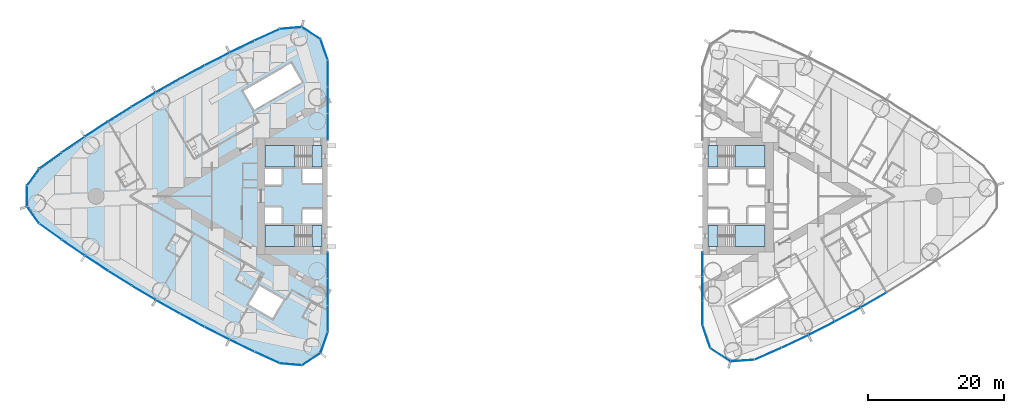
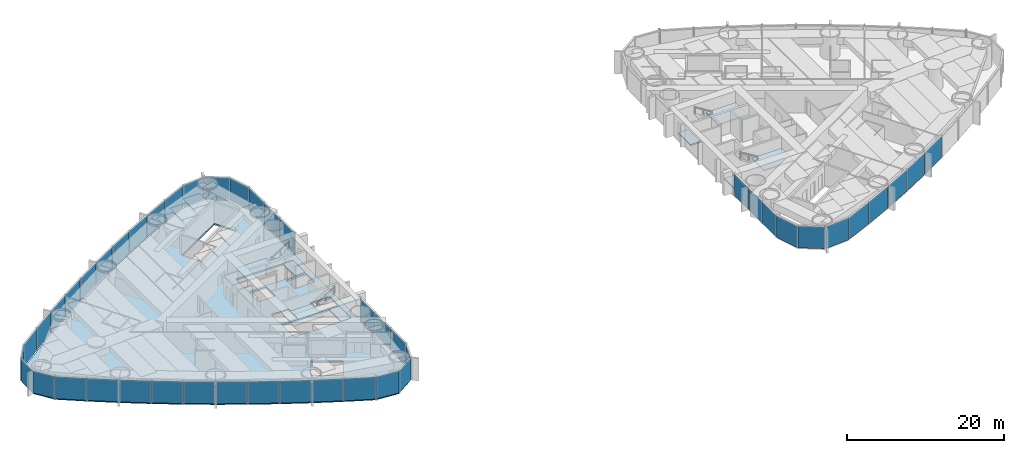
# One storey, part 9 of 18: 46 plates, 9 slabs, 6 elements without a shape of their own.
"""IFC4 building model written with IfcOpenShell, lengths in metres."""

from ifc_helpers import new_model, si_unit, direction, frame, origin, origin_2d, place, context, subcontext, project, spatial, polyline, rectangle, outline, extrude, material, layer, layer_set, type_object, element, aggregate, save


model = new_model("IFC4")

# Units and contexts
model_context = context("Model", 3, precision=1e-05, world=origin(), true_north=direction((0.0, 1.0)))
body_context = subcontext(model_context, "Body", "Model", "MODEL_VIEW")
ifc_project = project(units=[si_unit("LENGTHUNIT", "METRE"), si_unit("AREAUNIT", "SQUARE_METRE"), si_unit("VOLUMEUNIT", "CUBIC_METRE"), si_unit("PLANEANGLEUNIT", "RADIAN"), si_unit("MASSUNIT", "GRAM", prefix="KILO")], contexts=[model_context])

# Site, building, storey
site_placement = place(None, origin())
site = spatial("IfcSite", under=ifc_project, at=site_placement, CompositionType="ELEMENT")
building_placement = place(site_placement, origin())
building = spatial("IfcBuilding", under=site, at=building_placement, Name="Lancet Gate Hotel", CompositionType="ELEMENT")
storey_placement = place(building_placement, frame((0.0, 0.0, 125.60009765625)))
storey = spatial("IfcBuildingStorey", under=building, at=storey_placement, Name="L33", CompositionType="ELEMENT", Elevation=125.60009765625)

# Slab
ifc_material_1 = material(Name="Concrete C50/60", Category="concrete")
ifc_layer_1 = layer(ifc_material_1, 0.25)
ifc_layer_set_1 = layer_set([ifc_layer_1], Name="Floor slab 250")
slab_type_1 = type_object("IfcSlabType", Name="Floor slab 250", PredefinedType="FLOOR", material=ifc_layer_set_1)
slab_1_placement = place(storey_placement, frame((0.0, 0.0, -0.25)))
element("IfcSlab", 1, at=slab_1_placement, inside=storey, type_object=slab_type_1, Name="T1 L33 floor slab", PredefinedType="FLOOR", context=body_context, shape_type="SweptSolid", body=[
    extrude(outline(polyline([(-27.5, 8.60009765625), (-27.6201171875, 8.60009765625), (-27.6201171875, 19.950927734375), (-28.65966796875, 22.970947265625), (-31.320068359375, 24.69921875), (-34.5009765625, 24.421630859375), (-38.201416015625, 22.727783203125), (-41.8818359375, 20.946044921875), (-45.523193359375, 19.085693359375), (-49.12353515625, 17.147216796875), (-52.681396484375, 15.131591796875), (-56.195068359375, 13.0400390625), (-59.662841796875, 10.873291015625), (-63.0830078125, 8.63232421875), (-66.454345703125, 6.318115234375), (-69.76025390625, 3.94287109375), (-71.523193359375, 1.49755859375), (-71.523193359375, -1.49755859375), (-69.76025390625, -3.94287109375), (-66.454345703125, -6.318115234375), (-63.0830078125, -8.63232421875), (-59.662841796875, -10.873291015625), (-56.195068359375, -13.0400390625), (-52.681396484375, -15.131591796875), (-49.12353515625, -17.147216796875), (-45.523193359375, -19.085693359375), (-41.8818359375, -20.946044921875), (-38.201416015625, -22.727783203125), (-34.5009765625, -24.421630859375), (-31.320068359375, -24.69921875), (-28.65966796875, -22.970947265625), (-27.6201171875, -19.950927734375), (-27.6201171875, -8.60009765625), (-27.5, -8.60009765625), (-27.5, -8.199951171875), (-27.5, 8.199951171875), (-27.5, 8.60009765625)]), holes=[polyline([(-36.699951171875, 7.39990234375), (-36.699951171875, 4.300048828125), (-28.300048828125, 4.300048828125), (-28.300048828125, 7.39990234375), (-36.699951171875, 7.39990234375)]), polyline([(-28.300048828125, 4.0), (-31.199951171875, 4.0), (-31.199951171875, 1.89990234375), (-28.300048828125, 1.89990234375), (-28.300048828125, 4.0)]), polyline([(-34.25, 4.0), (-36.699951171875, 4.0), (-36.699951171875, 1.64990234375), (-34.25, 1.64990234375), (-34.25, 4.0)]), polyline([(-36.699951171875, -1.64990234375), (-36.699951171875, -4.0), (-34.25, -4.0), (-34.25, -1.64990234375), (-36.699951171875, -1.64990234375)]), polyline([(-28.300048828125, -1.89990234375), (-31.199951171875, -1.89990234375), (-31.199951171875, -4.0), (-28.300048828125, -4.0), (-28.300048828125, -1.89990234375)]), polyline([(-28.300048828125, -4.300048828125), (-36.699951171875, -4.300048828125), (-36.699951171875, -7.39990234375), (-28.300048828125, -7.39990234375), (-28.300048828125, -4.300048828125)]), polyline([(-31.2900390625, 16.73095703125), (-32.889892578125, 19.501953125), (-39.904052734375, 15.451904296875), (-38.303955078125, 12.680908203125), (-31.2900390625, 16.73095703125)]), polyline([(-33.97412109375, -15.180908203125), (-37.52490234375, -13.131103515625), (-39.125, -15.902099609375), (-35.573974609375, -17.951904296875), (-33.97412109375, -15.180908203125)])]), origin(), (0.0, 0.0, 1.0), 0.25),
])

# Stair, slabs
ifc_material_2 = material(Name="Exit stair 20 risers 1500")
stair_type = type_object("IfcStairType", Name="Exit stair 20 risers 1500", PredefinedType="HALF_TURN_STAIR", material=ifc_material_2)
stair_1_placement = place(storey_placement, origin())
stair_1 = element("IfcStair", 2, at=stair_1_placement, inside=storey, type_object=stair_type, Name="T1 stair 1 L33", PredefinedType="HALF_TURN_STAIR")
ifc_material_3 = material(Name="Concrete C40/50", Category="concrete")
ifc_layer_2 = layer(ifc_material_3, 0.199951171875)
ifc_layer_set_2 = layer_set([ifc_layer_2], Name="Stair landing 200")
slab_type_2 = type_object("IfcSlabType", Name="Stair landing 200", PredefinedType="LANDING", material=ifc_layer_set_2)
slab_2_placement = place(storey_placement, frame((0.0, 0.0, -0.2001953125)))
slab_2 = element("IfcSlab", 3, at=slab_2_placement, type_object=slab_type_2, Name="ST1 landing 1", PredefinedType="LANDING", context=body_context, shape_type="SweptSolid", body=[
    extrude(outline(polyline([(-28.300048828125, 7.39990234375), (-29.800048828125, 7.39990234375), (-29.800048828125, 4.300048828125), (-28.300048828125, 4.300048828125), (-28.300048828125, 7.39990234375)])), origin(), (0.0, 0.0, 1.0), 0.2001953125),
])
slab_3_placement = place(storey_placement, frame((0.0, 0.0, 1.5498046875)))
slab_3 = element("IfcSlab", 4, at=slab_3_placement, type_object=slab_type_2, Name="ST1 landing 2", PredefinedType="LANDING", context=body_context, shape_type="SweptSolid", body=[
    extrude(outline(polyline([(-32.320068359375, 7.39990234375), (-36.699951171875, 7.39990234375), (-36.699951171875, 4.300048828125), (-32.320068359375, 4.300048828125), (-32.320068359375, 7.39990234375)])), origin(), (0.0, 0.0, 1.0), 0.2001953125),
])
aggregate(stair_1, [slab_2, slab_3])

stair_2_placement = place(storey_placement, origin())
stair_2 = element("IfcStair", 5, at=stair_2_placement, inside=storey, type_object=stair_type, Name="T1 stair 2 L33", PredefinedType="HALF_TURN_STAIR")
slab_4_placement = place(storey_placement, frame((0.0, 0.0, -0.2001953125)))
slab_4 = element("IfcSlab", 6, at=slab_4_placement, type_object=slab_type_2, Name="ST2 landing 1", PredefinedType="LANDING", context=body_context, shape_type="SweptSolid", body=[
    extrude(outline(polyline([(-28.300048828125, -4.300048828125), (-29.800048828125, -4.300048828125), (-29.800048828125, -7.39990234375), (-28.300048828125, -7.39990234375), (-28.300048828125, -4.300048828125)])), origin(), (0.0, 0.0, 1.0), 0.2001953125),
])
slab_5_placement = place(storey_placement, frame((0.0, 0.0, 1.5498046875)))
slab_5 = element("IfcSlab", 7, at=slab_5_placement, type_object=slab_type_2, Name="ST2 landing 2", PredefinedType="LANDING", context=body_context, shape_type="SweptSolid", body=[
    extrude(outline(polyline([(-32.320068359375, -4.300048828125), (-36.699951171875, -4.300048828125), (-36.699951171875, -7.39990234375), (-32.320068359375, -7.39990234375), (-32.320068359375, -4.300048828125)])), origin(), (0.0, 0.0, 1.0), 0.2001953125),
])
aggregate(stair_2, [slab_4, slab_5])

stair_3_placement = place(storey_placement, origin())
stair_3 = element("IfcStair", 8, at=stair_3_placement, inside=storey, type_object=stair_type, Name="T2 stair 1 L33", PredefinedType="HALF_TURN_STAIR")
slab_6_placement = place(storey_placement, frame((0.0, 0.0, -0.2001953125)))
slab_6 = element("IfcSlab", 9, at=slab_6_placement, type_object=slab_type_2, Name="ST3 landing 1", PredefinedType="LANDING", context=body_context, shape_type="SweptSolid", body=[
    extrude(outline(polyline([(28.300048828125, -7.39990234375), (29.800048828125, -7.39990234375), (29.800048828125, -4.300048828125), (28.300048828125, -4.300048828125), (28.300048828125, -7.39990234375)])), origin(), (0.0, 0.0, 1.0), 0.2001953125),
])
slab_7_placement = place(storey_placement, frame((0.0, 0.0, 1.5498046875)))
slab_7 = element("IfcSlab", 10, at=slab_7_placement, type_object=slab_type_2, Name="ST3 landing 2", PredefinedType="LANDING", context=body_context, shape_type="SweptSolid", body=[
    extrude(outline(polyline([(32.320068359375, -7.39990234375), (36.699951171875, -7.39990234375), (36.699951171875, -4.300048828125), (32.320068359375, -4.300048828125), (32.320068359375, -7.39990234375)])), origin(), (0.0, 0.0, 1.0), 0.2001953125),
])
aggregate(stair_3, [slab_6, slab_7])

stair_4_placement = place(storey_placement, origin())
stair_4 = element("IfcStair", 11, at=stair_4_placement, inside=storey, type_object=stair_type, Name="T2 stair 2 L33", PredefinedType="HALF_TURN_STAIR")
slab_8_placement = place(storey_placement, frame((0.0, 0.0, -0.2001953125)))
slab_8 = element("IfcSlab", 12, at=slab_8_placement, type_object=slab_type_2, Name="ST4 landing 1", PredefinedType="LANDING", context=body_context, shape_type="SweptSolid", body=[
    extrude(outline(polyline([(28.300048828125, 4.300048828125), (29.800048828125, 4.300048828125), (29.800048828125, 7.39990234375), (28.300048828125, 7.39990234375), (28.300048828125, 4.300048828125)])), origin(), (0.0, 0.0, 1.0), 0.2001953125),
])
slab_9_placement = place(storey_placement, frame((0.0, 0.0, 1.5498046875)))
slab_9 = element("IfcSlab", 13, at=slab_9_placement, type_object=slab_type_2, Name="ST4 landing 2", PredefinedType="LANDING", context=body_context, shape_type="SweptSolid", body=[
    extrude(outline(polyline([(32.320068359375, 4.300048828125), (36.699951171875, 4.300048828125), (36.699951171875, 7.39990234375), (32.320068359375, 7.39990234375), (32.320068359375, 4.300048828125)])), origin(), (0.0, 0.0, 1.0), 0.2001953125),
])
aggregate(stair_4, [slab_8, slab_9])

# Curtain wall, plates
ifc_material_4 = material(Name="Aluminium curtain wall", Category="aluminium")
curtain_wall_type = type_object("IfcCurtainWallType", Name="Tower unitised curtain wall", PredefinedType="USERDEFINED", material=ifc_material_4)
curtain_wall_1_placement = place(storey_placement, origin())
curtain_wall_1 = element("IfcCurtainWall", 14, at=curtain_wall_1_placement, inside=storey, type_object=curtain_wall_type, Name="T1 L33 curtain wall 1", ObjectType="UNITISED CURTAIN WALL", PredefinedType="USERDEFINED")
ifc_material_5 = material(Name="Glass double glazed unit 8-16-6", Category="glass")
ifc_layer_3 = layer(ifc_material_5, 0.030029296875)
ifc_layer_set_3 = layer_set([ifc_layer_3], Name="Vision panel double glazed")
plate_type = type_object("IfcPlateType", Name="Vision panel double glazed", PredefinedType="CURTAIN_PANEL", material=ifc_layer_set_3)
plate_1_placement = place(storey_placement, frame((-27.5, 10.161865234375, -0.000244140625), z_axis=(0.0, 0.0, 1.0), x_axis=(0.0, 1.0, 0.0)))
plate_1 = element("IfcPlate", 15, at=plate_1_placement, type_object=plate_type, Name="T1 L33 curtain wall 1 panel 1", PredefinedType="CURTAIN_PANEL", context=body_context, shape_type="SweptSolid", body=[
    extrude(rectangle(XDim=3.858642578125, YDim=0.030029296875, at=origin_2d()), origin(), (0.0, 0.0, 1.0), 3.35009765625),
])
plate_2_placement = place(storey_placement, frame((-27.5, 14.08544921875, -0.000244140625), z_axis=(0.0, 0.0, 1.0), x_axis=(0.0, 1.0, 0.0)))
plate_2 = element("IfcPlate", 16, at=plate_2_placement, type_object=plate_type, Name="T1 L33 curtain wall 1 panel 2", PredefinedType="CURTAIN_PANEL", context=body_context, shape_type="SweptSolid", body=[
    extrude(rectangle(XDim=3.858642578125, YDim=0.030029296875, at=origin_2d()), origin(), (0.0, 0.0, 1.0), 3.35009765625),
])
plate_3_placement = place(storey_placement, frame((-27.5, 18.00927734375, -0.000244140625), z_axis=(0.0, 0.0, 1.0), x_axis=(0.0, 1.0, 0.0)))
plate_3 = element("IfcPlate", 17, at=plate_3_placement, type_object=plate_type, Name="T1 L33 curtain wall 1 panel 3", PredefinedType="CURTAIN_PANEL", context=body_context, shape_type="SweptSolid", body=[
    extrude(rectangle(XDim=3.858642578125, YDim=0.030029296875, at=origin_2d()), origin(), (0.0, 0.0, 1.0), 3.35009765625),
])
plate_4_placement = place(storey_placement, frame((-28.02978515625, 21.510009765625, -0.000244140625), z_axis=(0.0, 0.0, 1.0), x_axis=(-0.325515820766, 0.945536593914, 0.0)))
plate_4 = element("IfcPlate", 18, at=plate_4_placement, type_object=plate_type, Name="T1 L33 curtain wall 1 panel 4", PredefinedType="CURTAIN_PANEL", context=body_context, shape_type="SweptSolid", body=[
    extrude(rectangle(XDim=3.190185546875, YDim=0.030029296875, at=origin_2d()), origin(), (0.0, 0.0, 1.0), 3.35009765625),
])
plate_5_placement = place(storey_placement, frame((-29.924560546875, 23.935546875, -0.000244140625), z_axis=(0.0, 0.0, 1.0), x_axis=(-0.838580121261, 0.544778285385, 0.0)))
plate_5 = element("IfcPlate", 19, at=plate_5_placement, type_object=plate_type, Name="T1 L33 curtain wall 1 panel 5", PredefinedType="CURTAIN_PANEL", context=body_context, shape_type="SweptSolid", body=[
    extrude(rectangle(XDim=3.190185546875, YDim=0.030029296875, at=origin_2d()), origin(), (0.0, 0.0, 1.0), 3.35009765625),
])
plate_6_placement = place(storey_placement, frame((-32.91064453125, 24.680908203125, -0.000244140625), z_axis=(0.0, 0.0, 1.0), x_axis=(-0.996218779711, -0.086880049207, 0.0)))
plate_6 = element("IfcPlate", 20, at=plate_6_placement, type_object=plate_type, Name="T1 L33 curtain wall 1 panel 6", PredefinedType="CURTAIN_PANEL", context=body_context, shape_type="SweptSolid", body=[
    extrude(rectangle(XDim=3.190185546875, YDim=0.030029296875, at=origin_2d()), origin(), (0.0, 0.0, 1.0), 3.35009765625),
])
plate_7_placement = place(storey_placement, frame((-36.392333984375, 23.68798828125, -0.000244140625), z_axis=(0.0, 0.0, 1.0), x_axis=(-0.909252721243, -0.416244506166, 0.0)))
plate_7 = element("IfcPlate", 21, at=plate_7_placement, type_object=plate_type, Name="T1 L33 curtain wall 1 panel 7", PredefinedType="CURTAIN_PANEL", context=body_context, shape_type="SweptSolid", body=[
    extrude(rectangle(XDim=4.026611328125, YDim=0.030029296875, at=origin_2d()), origin(), (0.0, 0.0, 1.0), 3.35009765625),
])
plate_8_placement = place(storey_placement, frame((-40.093994140625, 21.945068359375, -0.000244140625), z_axis=(0.0, 0.0, 1.0), x_axis=(-0.900081672047, -0.435721222395, 0.0)))
plate_8 = element("IfcPlate", 22, at=plate_8_placement, type_object=plate_type, Name="T1 L33 curtain wall 1 panel 8", PredefinedType="CURTAIN_PANEL", context=body_context, shape_type="SweptSolid", body=[
    extrude(rectangle(XDim=4.026611328125, YDim=0.030029296875, at=origin_2d()), origin(), (0.0, 0.0, 1.0), 3.35009765625),
])
plate_9_placement = place(storey_placement, frame((-43.757080078125, 20.122802734375, -0.000244140625), z_axis=(0.0, 0.0, 1.0), x_axis=(-0.890493479451, -0.45499600334, 0.0)))
plate_9 = element("IfcPlate", 23, at=plate_9_placement, type_object=plate_type, Name="T1 L33 curtain wall 1 panel 9", PredefinedType="CURTAIN_PANEL", context=body_context, shape_type="SweptSolid", body=[
    extrude(rectangle(XDim=4.026611328125, YDim=0.030029296875, at=origin_2d()), origin(), (0.0, 0.0, 1.0), 3.35009765625),
])
plate_10_placement = place(storey_placement, frame((-47.380126953125, 18.221923828125, -0.000244140625), z_axis=(0.0, 0.0, 1.0), x_axis=(-0.880492587094, -0.474059916121, 0.0)))
plate_10 = element("IfcPlate", 24, at=plate_10_placement, type_object=plate_type, Name="T1 L33 curtain wall 1 panel 10", PredefinedType="CURTAIN_PANEL", context=body_context, shape_type="SweptSolid", body=[
    extrude(rectangle(XDim=4.026611328125, YDim=0.030029296875, at=origin_2d()), origin(), (0.0, 0.0, 1.0), 3.35009765625),
])
plate_11_placement = place(storey_placement, frame((-50.961669921875, 16.243896484375, -0.000244140625), z_axis=(0.0, 0.0, 1.0), x_axis=(-0.870083629903, -0.49290412554, 0.0)))
plate_11 = element("IfcPlate", 25, at=plate_11_placement, type_object=plate_type, Name="T1 L33 curtain wall 1 panel 11", PredefinedType="CURTAIN_PANEL", context=body_context, shape_type="SweptSolid", body=[
    extrude(rectangle(XDim=4.026611328125, YDim=0.030029296875, at=origin_2d()), origin(), (0.0, 0.0, 1.0), 3.35009765625),
])
plate_12_placement = place(storey_placement, frame((-54.49951171875, 14.18896484375, -0.000244140625), z_axis=(0.0, 0.0, 1.0), x_axis=(-0.859271431916, -0.511519898238, 0.0)))
plate_12 = element("IfcPlate", 26, at=plate_12_placement, type_object=plate_type, Name="T1 L33 curtain wall 1 panel 12", PredefinedType="CURTAIN_PANEL", context=body_context, shape_type="SweptSolid", body=[
    extrude(rectangle(XDim=4.026611328125, YDim=0.030029296875, at=origin_2d()), origin(), (0.0, 0.0, 1.0), 3.35009765625),
])
plate_13_placement = place(storey_placement, frame((-57.992431640625, 12.058349609375, -0.000244140625), z_axis=(0.0, 0.0, 1.0), x_axis=(-0.848061004052, -0.529898606722, 0.0)))
plate_13 = element("IfcPlate", 27, at=plate_13_placement, type_object=plate_type, Name="T1 L33 curtain wall 1 panel 13", PredefinedType="CURTAIN_PANEL", context=body_context, shape_type="SweptSolid", body=[
    extrude(rectangle(XDim=4.026611328125, YDim=0.030029296875, at=origin_2d()), origin(), (0.0, 0.0, 1.0), 3.35009765625),
])
plate_14_placement = place(storey_placement, frame((-61.438720703125, 9.85302734375, -0.000244140625), z_axis=(0.0, 0.0, 1.0), x_axis=(-0.836457541791, -0.54803173337, 0.0)))
plate_14 = element("IfcPlate", 28, at=plate_14_placement, type_object=plate_type, Name="T1 L33 curtain wall 1 panel 14", PredefinedType="CURTAIN_PANEL", context=body_context, shape_type="SweptSolid", body=[
    extrude(rectangle(XDim=4.026611328125, YDim=0.030029296875, at=origin_2d()), origin(), (0.0, 0.0, 1.0), 3.35009765625),
])
plate_15_placement = place(storey_placement, frame((-64.836669921875, 7.57421875, -0.000244140625), z_axis=(0.0, 0.0, 1.0), x_axis=(-0.824466422775, -0.565910874357, 0.0)))
plate_15 = element("IfcPlate", 29, at=plate_15_placement, type_object=plate_type, Name="T1 L33 curtain wall 1 panel 15", PredefinedType="CURTAIN_PANEL", context=body_context, shape_type="SweptSolid", body=[
    extrude(rectangle(XDim=4.026611328125, YDim=0.030029296875, at=origin_2d()), origin(), (0.0, 0.0, 1.0), 3.35009765625),
])
plate_16_placement = place(storey_placement, frame((-68.184814453125, 5.22265625, -0.000244140625), z_axis=(0.0, 0.0, 1.0), x_axis=(-0.812093204276, -0.583527743615, 0.0)))
plate_16 = element("IfcPlate", 30, at=plate_16_placement, type_object=plate_type, Name="T1 L33 curtain wall 1 panel 16", PredefinedType="CURTAIN_PANEL", context=body_context, shape_type="SweptSolid", body=[
    extrude(rectangle(XDim=4.026611328125, YDim=0.030029296875, at=origin_2d()), origin(), (0.0, 0.0, 1.0), 3.35009765625),
])
plate_17_placement = place(storey_placement, frame((-70.74462890625, 2.782470703125, -0.000244140625), z_axis=(0.0, 0.0, 1.0), x_axis=(-0.584808645706, -0.811171281486, 0.0)))
plate_17 = element("IfcPlate", 31, at=plate_17_placement, type_object=plate_type, Name="T1 L33 curtain wall 1 panel 17", PredefinedType="CURTAIN_PANEL", context=body_context, shape_type="SweptSolid", body=[
    extrude(rectangle(XDim=3.0078125, YDim=0.030029296875, at=origin_2d()), origin(), (0.0, 0.0, 1.0), 3.35009765625),
])
plate_18_placement = place(storey_placement, frame((-71.64306640625, 0.0, -0.000244140625), z_axis=(0.0, 0.0, 1.0), x_axis=(0.0, -1.0, 0.0)))
plate_18 = element("IfcPlate", 32, at=plate_18_placement, type_object=plate_type, Name="T1 L33 curtain wall 1 panel 18", PredefinedType="CURTAIN_PANEL", context=body_context, shape_type="SweptSolid", body=[
    extrude(rectangle(XDim=3.0078125, YDim=0.030029296875, at=origin_2d()), origin(), (0.0, 0.0, 1.0), 3.35009765625),
])
plate_19_placement = place(storey_placement, frame((-70.74462890625, -2.782470703125, -0.000244140625), z_axis=(0.0, 0.0, 1.0), x_axis=(0.584808645706, -0.811171281486, 0.0)))
plate_19 = element("IfcPlate", 33, at=plate_19_placement, type_object=plate_type, Name="T1 L33 curtain wall 1 panel 19", PredefinedType="CURTAIN_PANEL", context=body_context, shape_type="SweptSolid", body=[
    extrude(rectangle(XDim=3.0078125, YDim=0.030029296875, at=origin_2d()), origin(), (0.0, 0.0, 1.0), 3.35009765625),
])
plate_20_placement = place(storey_placement, frame((-68.184814453125, -5.22265625, -0.000244140625), z_axis=(0.0, 0.0, 1.0), x_axis=(0.812093204276, -0.583527743615, 0.0)))
plate_20 = element("IfcPlate", 34, at=plate_20_placement, type_object=plate_type, Name="T1 L33 curtain wall 1 panel 20", PredefinedType="CURTAIN_PANEL", context=body_context, shape_type="SweptSolid", body=[
    extrude(rectangle(XDim=4.026611328125, YDim=0.030029296875, at=origin_2d()), origin(), (0.0, 0.0, 1.0), 3.35009765625),
])
plate_21_placement = place(storey_placement, frame((-64.836669921875, -7.57421875, -0.000244140625), z_axis=(0.0, 0.0, 1.0), x_axis=(0.824466422775, -0.565910874357, 0.0)))
plate_21 = element("IfcPlate", 35, at=plate_21_placement, type_object=plate_type, Name="T1 L33 curtain wall 1 panel 21", PredefinedType="CURTAIN_PANEL", context=body_context, shape_type="SweptSolid", body=[
    extrude(rectangle(XDim=4.026611328125, YDim=0.030029296875, at=origin_2d()), origin(), (0.0, 0.0, 1.0), 3.35009765625),
])
plate_22_placement = place(storey_placement, frame((-61.438720703125, -9.85302734375, -0.000244140625), z_axis=(0.0, 0.0, 1.0), x_axis=(0.836457541791, -0.54803173337, 0.0)))
plate_22 = element("IfcPlate", 36, at=plate_22_placement, type_object=plate_type, Name="T1 L33 curtain wall 1 panel 22", PredefinedType="CURTAIN_PANEL", context=body_context, shape_type="SweptSolid", body=[
    extrude(rectangle(XDim=4.026611328125, YDim=0.030029296875, at=origin_2d()), origin(), (0.0, 0.0, 1.0), 3.35009765625),
])
plate_23_placement = place(storey_placement, frame((-57.992431640625, -12.058349609375, -0.000244140625), z_axis=(0.0, 0.0, 1.0), x_axis=(0.848061004052, -0.529898606722, 0.0)))
plate_23 = element("IfcPlate", 37, at=plate_23_placement, type_object=plate_type, Name="T1 L33 curtain wall 1 panel 23", PredefinedType="CURTAIN_PANEL", context=body_context, shape_type="SweptSolid", body=[
    extrude(rectangle(XDim=4.026611328125, YDim=0.030029296875, at=origin_2d()), origin(), (0.0, 0.0, 1.0), 3.35009765625),
])
plate_24_placement = place(storey_placement, frame((-54.49951171875, -14.18896484375, -0.000244140625), z_axis=(0.0, 0.0, 1.0), x_axis=(0.859271431916, -0.511519898238, 0.0)))
plate_24 = element("IfcPlate", 38, at=plate_24_placement, type_object=plate_type, Name="T1 L33 curtain wall 1 panel 24", PredefinedType="CURTAIN_PANEL", context=body_context, shape_type="SweptSolid", body=[
    extrude(rectangle(XDim=4.026611328125, YDim=0.030029296875, at=origin_2d()), origin(), (0.0, 0.0, 1.0), 3.35009765625),
])
plate_25_placement = place(storey_placement, frame((-50.961669921875, -16.243896484375, -0.000244140625), z_axis=(0.0, 0.0, 1.0), x_axis=(0.870083629903, -0.49290412554, 0.0)))
plate_25 = element("IfcPlate", 39, at=plate_25_placement, type_object=plate_type, Name="T1 L33 curtain wall 1 panel 25", PredefinedType="CURTAIN_PANEL", context=body_context, shape_type="SweptSolid", body=[
    extrude(rectangle(XDim=4.026611328125, YDim=0.030029296875, at=origin_2d()), origin(), (0.0, 0.0, 1.0), 3.35009765625),
])
plate_26_placement = place(storey_placement, frame((-47.380126953125, -18.221923828125, -0.000244140625), z_axis=(0.0, 0.0, 1.0), x_axis=(0.880492587094, -0.474059916121, 0.0)))
plate_26 = element("IfcPlate", 40, at=plate_26_placement, type_object=plate_type, Name="T1 L33 curtain wall 1 panel 26", PredefinedType="CURTAIN_PANEL", context=body_context, shape_type="SweptSolid", body=[
    extrude(rectangle(XDim=4.026611328125, YDim=0.030029296875, at=origin_2d()), origin(), (0.0, 0.0, 1.0), 3.35009765625),
])
plate_27_placement = place(storey_placement, frame((-43.757080078125, -20.122802734375, -0.000244140625), z_axis=(0.0, 0.0, 1.0), x_axis=(0.890493479451, -0.45499600334, 0.0)))
plate_27 = element("IfcPlate", 41, at=plate_27_placement, type_object=plate_type, Name="T1 L33 curtain wall 1 panel 27", PredefinedType="CURTAIN_PANEL", context=body_context, shape_type="SweptSolid", body=[
    extrude(rectangle(XDim=4.026611328125, YDim=0.030029296875, at=origin_2d()), origin(), (0.0, 0.0, 1.0), 3.35009765625),
])
plate_28_placement = place(storey_placement, frame((-40.093994140625, -21.945068359375, -0.000244140625), z_axis=(0.0, 0.0, 1.0), x_axis=(0.900081672047, -0.435721222395, 0.0)))
plate_28 = element("IfcPlate", 42, at=plate_28_placement, type_object=plate_type, Name="T1 L33 curtain wall 1 panel 28", PredefinedType="CURTAIN_PANEL", context=body_context, shape_type="SweptSolid", body=[
    extrude(rectangle(XDim=4.026611328125, YDim=0.030029296875, at=origin_2d()), origin(), (0.0, 0.0, 1.0), 3.35009765625),
])
plate_29_placement = place(storey_placement, frame((-36.392333984375, -23.68798828125, -0.000244140625), z_axis=(0.0, 0.0, 1.0), x_axis=(0.909252721243, -0.416244506166, 0.0)))
plate_29 = element("IfcPlate", 43, at=plate_29_placement, type_object=plate_type, Name="T1 L33 curtain wall 1 panel 29", PredefinedType="CURTAIN_PANEL", context=body_context, shape_type="SweptSolid", body=[
    extrude(rectangle(XDim=4.026611328125, YDim=0.030029296875, at=origin_2d()), origin(), (0.0, 0.0, 1.0), 3.35009765625),
])
plate_30_placement = place(storey_placement, frame((-32.91064453125, -24.680908203125, -0.000244140625), z_axis=(0.0, 0.0, 1.0), x_axis=(0.996218779711, -0.086880049207, 0.0)))
plate_30 = element("IfcPlate", 44, at=plate_30_placement, type_object=plate_type, Name="T1 L33 curtain wall 1 panel 30", PredefinedType="CURTAIN_PANEL", context=body_context, shape_type="SweptSolid", body=[
    extrude(rectangle(XDim=3.190185546875, YDim=0.030029296875, at=origin_2d()), origin(), (0.0, 0.0, 1.0), 3.35009765625),
])
plate_31_placement = place(storey_placement, frame((-29.924560546875, -23.935546875, -0.000244140625), z_axis=(0.0, 0.0, 1.0), x_axis=(0.838580121261, 0.544778285385, 0.0)))
plate_31 = element("IfcPlate", 45, at=plate_31_placement, type_object=plate_type, Name="T1 L33 curtain wall 1 panel 31", PredefinedType="CURTAIN_PANEL", context=body_context, shape_type="SweptSolid", body=[
    extrude(rectangle(XDim=3.190185546875, YDim=0.030029296875, at=origin_2d()), origin(), (0.0, 0.0, 1.0), 3.35009765625),
])
plate_32_placement = place(storey_placement, frame((-28.02978515625, -21.510009765625, -0.000244140625), z_axis=(0.0, 0.0, 1.0), x_axis=(0.325515820766, 0.945536593914, 0.0)))
plate_32 = element("IfcPlate", 46, at=plate_32_placement, type_object=plate_type, Name="T1 L33 curtain wall 1 panel 32", PredefinedType="CURTAIN_PANEL", context=body_context, shape_type="SweptSolid", body=[
    extrude(rectangle(XDim=3.190185546875, YDim=0.030029296875, at=origin_2d()), origin(), (0.0, 0.0, 1.0), 3.35009765625),
])
plate_33_placement = place(storey_placement, frame((-27.5, -18.00927734375, -0.000244140625), z_axis=(0.0, 0.0, 1.0), x_axis=(0.0, 1.0, 0.0)))
plate_33 = element("IfcPlate", 47, at=plate_33_placement, type_object=plate_type, Name="T1 L33 curtain wall 1 panel 33", PredefinedType="CURTAIN_PANEL", context=body_context, shape_type="SweptSolid", body=[
    extrude(rectangle(XDim=3.858642578125, YDim=0.030029296875, at=origin_2d()), origin(), (0.0, 0.0, 1.0), 3.35009765625),
])
plate_34_placement = place(storey_placement, frame((-27.5, -14.08544921875, -0.000244140625), z_axis=(0.0, 0.0, 1.0), x_axis=(0.0, 1.0, 0.0)))
plate_34 = element("IfcPlate", 48, at=plate_34_placement, type_object=plate_type, Name="T1 L33 curtain wall 1 panel 34", PredefinedType="CURTAIN_PANEL", context=body_context, shape_type="SweptSolid", body=[
    extrude(rectangle(XDim=3.858642578125, YDim=0.030029296875, at=origin_2d()), origin(), (0.0, 0.0, 1.0), 3.35009765625),
])
plate_35_placement = place(storey_placement, frame((-27.5, -10.161865234375, -0.000244140625), z_axis=(0.0, 0.0, 1.0), x_axis=(0.0, 1.0, 0.0)))
plate_35 = element("IfcPlate", 49, at=plate_35_placement, type_object=plate_type, Name="T1 L33 curtain wall 1 panel 35", PredefinedType="CURTAIN_PANEL", context=body_context, shape_type="SweptSolid", body=[
    extrude(rectangle(XDim=3.858642578125, YDim=0.030029296875, at=origin_2d()), origin(), (0.0, 0.0, 1.0), 3.35009765625),
])
aggregate(curtain_wall_1, [plate_1, plate_2, plate_3, plate_4, plate_5, plate_6, plate_7, plate_8, plate_9, plate_10, plate_11, plate_12, plate_13, plate_14, plate_15, plate_16, plate_17, plate_18, plate_19, plate_20, plate_21, plate_22, plate_23, plate_24, plate_25, plate_26, plate_27, plate_28, plate_29, plate_30, plate_31, plate_32, plate_33, plate_34, plate_35])

curtain_wall_2_placement = place(storey_placement, origin())
curtain_wall_2 = element("IfcCurtainWall", 50, at=curtain_wall_2_placement, inside=storey, type_object=curtain_wall_type, Name="T2 L33 curtain wall 1", ObjectType="UNITISED CURTAIN WALL", PredefinedType="USERDEFINED")
plate_36_placement = place(storey_placement, frame((27.5, -9.990478515625, -0.000244140625), z_axis=(0.0, 0.0, 1.0), x_axis=(0.0, -1.0, 0.0)))
plate_36 = element("IfcPlate", 51, at=plate_36_placement, type_object=plate_type, Name="T2 L33 curtain wall 1 panel 1", PredefinedType="CURTAIN_PANEL", context=body_context, shape_type="SweptSolid", body=[
    extrude(rectangle(XDim=3.515869140625, YDim=0.030029296875, at=origin_2d()), origin(), (0.0, 0.0, 1.0), 3.35009765625),
])
plate_37_placement = place(storey_placement, frame((27.5, -13.571533203125, -0.000244140625), z_axis=(0.0, 0.0, 1.0), x_axis=(0.0, -1.0, 0.0)))
plate_37 = element("IfcPlate", 52, at=plate_37_placement, type_object=plate_type, Name="T2 L33 curtain wall 1 panel 2", PredefinedType="CURTAIN_PANEL", context=body_context, shape_type="SweptSolid", body=[
    extrude(rectangle(XDim=3.515869140625, YDim=0.030029296875, at=origin_2d()), origin(), (0.0, 0.0, 1.0), 3.35009765625),
])
plate_38_placement = place(storey_placement, frame((27.5, -17.15234375, -0.000244140625), z_axis=(0.0, 0.0, 1.0), x_axis=(0.0, -1.0, 0.0)))
plate_38 = element("IfcPlate", 53, at=plate_38_placement, type_object=plate_type, Name="T2 L33 curtain wall 1 panel 3", PredefinedType="CURTAIN_PANEL", context=body_context, shape_type="SweptSolid", body=[
    extrude(rectangle(XDim=3.515869140625, YDim=0.030029296875, at=origin_2d()), origin(), (0.0, 0.0, 1.0), 3.35009765625),
])
plate_39_placement = place(storey_placement, frame((28.072265625, -20.622314453125, -0.000244140625), z_axis=(0.0, 0.0, 1.0), x_axis=(0.32257568891, -0.946543673015, 0.0)))
plate_39 = element("IfcPlate", 54, at=plate_39_placement, type_object=plate_type, Name="T2 L33 curtain wall 1 panel 4", PredefinedType="CURTAIN_PANEL", context=body_context, shape_type="SweptSolid", body=[
    extrude(rectangle(XDim=3.4833984375, YDim=0.030029296875, at=origin_2d()), origin(), (0.0, 0.0, 1.0), 3.35009765625),
])
plate_40_placement = place(storey_placement, frame((30.123291015625, -23.281982421875, -0.000244140625), z_axis=(0.0, 0.0, 1.0), x_axis=(0.833464516611, -0.552572981198, 0.0)))
plate_40 = element("IfcPlate", 55, at=plate_40_placement, type_object=plate_type, Name="T2 L33 curtain wall 1 panel 5", PredefinedType="CURTAIN_PANEL", context=body_context, shape_type="SweptSolid", body=[
    extrude(rectangle(XDim=3.4833984375, YDim=0.030029296875, at=origin_2d()), origin(), (0.0, 0.0, 1.0), 3.35009765625),
])
plate_41_placement = place(storey_placement, frame((33.37158203125, -24.1357421875, -0.000244140625), z_axis=(0.0, 0.0, 1.0), x_axis=(0.997448492935, 0.07138980278, 0.0)))
plate_41 = element("IfcPlate", 56, at=plate_41_placement, type_object=plate_type, Name="T2 L33 curtain wall 1 panel 6", PredefinedType="CURTAIN_PANEL", context=body_context, shape_type="SweptSolid", body=[
    extrude(rectangle(XDim=3.4833984375, YDim=0.030029296875, at=origin_2d()), origin(), (0.0, 0.0, 1.0), 3.35009765625),
])
plate_42_placement = place(storey_placement, frame((37.13134765625, -23.13427734375, -0.000244140625), z_axis=(0.0, 0.0, 1.0), x_axis=(0.915478658759, 0.40236653111, 0.0)))
plate_42 = element("IfcPlate", 57, at=plate_42_placement, type_object=plate_type, Name="T2 L33 curtain wall 1 panel 7", PredefinedType="CURTAIN_PANEL", context=body_context, shape_type="SweptSolid", body=[
    extrude(rectangle(XDim=4.2822265625, YDim=0.030029296875, at=origin_2d()), origin(), (0.0, 0.0, 1.0), 3.35009765625),
])
plate_43_placement = place(storey_placement, frame((41.08544921875, -21.3291015625, -0.000244140625), z_axis=(0.0, 0.0, 1.0), x_axis=(0.903683440096, 0.428201167789, 0.0)))
plate_43 = element("IfcPlate", 58, at=plate_43_placement, type_object=plate_type, Name="T2 L33 curtain wall 1 panel 8", PredefinedType="CURTAIN_PANEL", context=body_context, shape_type="SweptSolid", body=[
    extrude(rectangle(XDim=4.2822265625, YDim=0.030029296875, at=origin_2d()), origin(), (0.0, 0.0, 1.0), 3.35009765625),
])
plate_44_placement = place(storey_placement, frame((44.98681640625, -19.412109375, -0.000244140625), z_axis=(0.0, 0.0, 1.0), x_axis=(0.891159350462, 0.453690436403, 0.0)))
plate_44 = element("IfcPlate", 59, at=plate_44_placement, type_object=plate_type, Name="T2 L33 curtain wall 1 panel 9", PredefinedType="CURTAIN_PANEL", context=body_context, shape_type="SweptSolid", body=[
    extrude(rectangle(XDim=4.2822265625, YDim=0.030029296875, at=origin_2d()), origin(), (0.0, 0.0, 1.0), 3.35009765625),
])
plate_45_placement = place(storey_placement, frame((48.832275390625, -17.38525390625, -0.000244140625), z_axis=(0.0, 0.0, 1.0), x_axis=(0.877916491224, 0.478813778454, 0.0)))
plate_45 = element("IfcPlate", 60, at=plate_45_placement, type_object=plate_type, Name="T2 L33 curtain wall 1 panel 10", PredefinedType="CURTAIN_PANEL", context=body_context, shape_type="SweptSolid", body=[
    extrude(rectangle(XDim=4.2822265625, YDim=0.030029296875, at=origin_2d()), origin(), (0.0, 0.0, 1.0), 3.35009765625),
])
plate_46_placement = place(storey_placement, frame((52.618408203125, -15.249755859375, -0.000244140625), z_axis=(0.0, 0.0, 1.0), x_axis=(0.863965543499, 0.503550930538, 0.0)))
plate_46 = element("IfcPlate", 61, at=plate_46_placement, type_object=plate_type, Name="T2 L33 curtain wall 1 panel 11", PredefinedType="CURTAIN_PANEL", context=body_context, shape_type="SweptSolid", body=[
    extrude(rectangle(XDim=4.2822265625, YDim=0.030029296875, at=origin_2d()), origin(), (0.0, 0.0, 1.0), 3.35009765625),
])
aggregate(curtain_wall_2, [plate_36, plate_37, plate_38, plate_39, plate_40, plate_41, plate_42, plate_43, plate_44, plate_45, plate_46])

save(model, "model.ifc")
